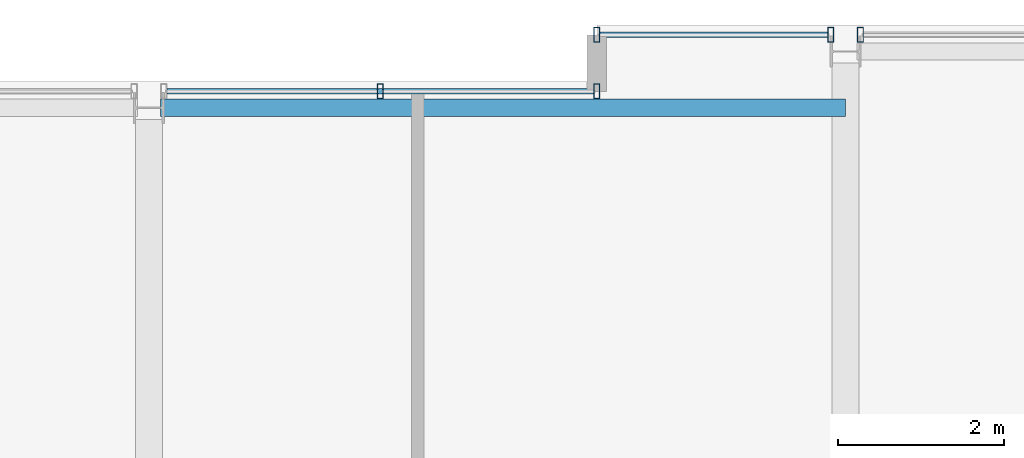
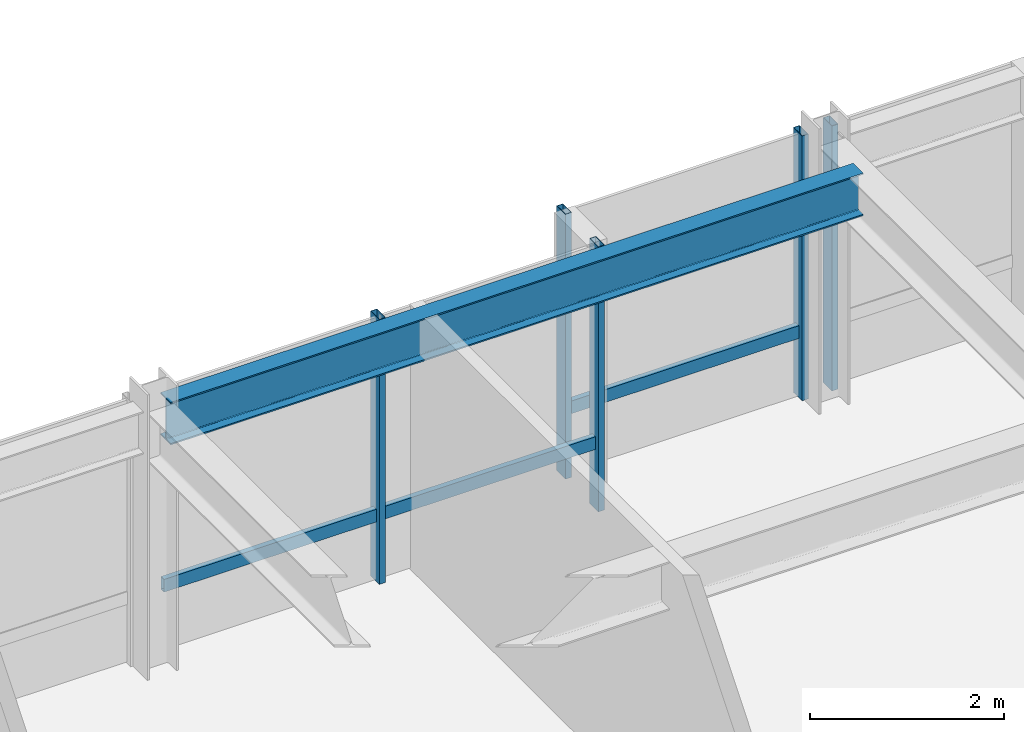
# One storey, part 21 of 31: 7 members, 1 beam, 3 elements without a shape of their own.
"""IFC4 building model written with IfcOpenShell, lengths in metres."""

from ifc_helpers import new_model, si_unit, direction, frame, origin, origin_2d, place, context, subcontext, project, spatial, hollow_rectangle, i_section, extrude, material, layer, layer_set, material_profile, profile_set, type_object, element, aggregate, save


model = new_model("IFC4")

# Units and contexts
model_context = context("Model", 3, precision=1e-05, world=origin(), true_north=direction((0.0, 1.0)))
body_context = subcontext(model_context, "Body", "Model", "MODEL_VIEW")
ifc_project = project(units=[si_unit("LENGTHUNIT", "METRE"), si_unit("AREAUNIT", "SQUARE_METRE"), si_unit("VOLUMEUNIT", "CUBIC_METRE"), si_unit("PLANEANGLEUNIT", "RADIAN"), si_unit("MASSUNIT", "GRAM", prefix="KILO")], contexts=[model_context])

# Site, building, storey
site_placement = place(None, origin())
site = spatial("IfcSite", under=ifc_project, at=site_placement, CompositionType="ELEMENT")
building_placement = place(site_placement, origin())
building = spatial("IfcBuilding", under=site, at=building_placement, Name="Drelvath Grand Hotel", CompositionType="ELEMENT")
storey_placement = place(building_placement, frame((0.0, 0.0, 244.699951171875)))
storey = spatial("IfcBuildingStorey", under=building, at=storey_placement, Name="L64", CompositionType="ELEMENT", Elevation=244.699951171875)

# Curtain wall, member
ifc_material_1 = material(Name="Platinum-Mist Anodised Aluminium Frame", Category="aluminium")
ifc_layer = layer(ifc_material_1, 0.199951171875)
ifc_layer_set = layer_set([ifc_layer], Name="Platinum-Mist Anodised Aluminium Frame")
curtain_wall_type = type_object("IfcCurtainWallType", Name="Stick Curtain Wall CW-05 Platinum Mist High-Rise", PredefinedType="NOTDEFINED", material=ifc_layer_set)
curtain_wall_1_placement = place(storey_placement, origin())
curtain_wall_1 = element("IfcCurtainWall", 1, at=curtain_wall_1_placement, inside=storey, type_object=curtain_wall_type, Name="L64 CW-05 Curtain Wall CW05-L64-NM2", PredefinedType="NOTDEFINED")
ifc_material_profile_1 = material_profile(ifc_material_1, hollow_rectangle(XDim=0.06494140625, YDim=0.159912109375, WallThickness=0.00390625, at=origin_2d()), Name="HSS160X65X4")
ifc_profile_set_1 = profile_set([ifc_material_profile_1], Name="Platinum-Mist Anodised Aluminium Frame")
member_type_1 = type_object("IfcMemberType", Name="Curtain Wall Horizontal Transom CW-05 HSS160X65X4", PredefinedType="USERDEFINED", material=ifc_profile_set_1)
member_1_placement = place(storey_placement, frame((0.21826171875, 48.39990234375, 0.8349609375), z_axis=(1.0, 0.0, 0.0), x_axis=(0.0, 1.0, 0.0)))
member_1 = element("IfcMember", 2, at=member_1_placement, type_object=member_type_1, Name="CW05-L64-NM2 Sill Transom", ObjectType="TRANSOM", PredefinedType="USERDEFINED", context=body_context, shape_type="SweptSolid", body=[
    extrude(hollow_rectangle(XDim=0.06494140625, YDim=0.159912109375, WallThickness=0.00390625, at=origin_2d()), origin(), (0.0, 0.0, 1.0), 5.141845703125),
])

curtain_wall_2_placement = place(storey_placement, origin())
curtain_wall_2 = element("IfcCurtainWall", 3, at=curtain_wall_2_placement, inside=storey, type_object=curtain_wall_type, Name="L64 CW-05 Curtain Wall CW05-L64-NE1", PredefinedType="NOTDEFINED")
member_2_placement = place(storey_placement, frame((5.43994140625, 49.080078125, 0.8349609375), z_axis=(1.0, 0.0, 0.0), x_axis=(0.0, 1.0, 0.0)))
member_2 = element("IfcMember", 4, at=member_2_placement, type_object=member_type_1, Name="CW05-L64-NE1 Sill Transom", ObjectType="TRANSOM", PredefinedType="USERDEFINED", context=body_context, shape_type="SweptSolid", body=[
    extrude(hollow_rectangle(XDim=0.06494140625, YDim=0.159912109375, WallThickness=0.00390625, at=origin_2d()), origin(), (0.0, 0.0, 1.0), 2.741943359375),
])

# Member
ifc_material_profile_2 = material_profile(ifc_material_1, hollow_rectangle(XDim=0.074951171875, YDim=0.179931640625, WallThickness=0.0048828125, at=origin_2d()), Name="HSS180X75X5")
ifc_profile_set_2 = profile_set([ifc_material_profile_2], Name="Platinum-Mist Anodised Aluminium Frame")
member_type_2 = type_object("IfcMemberType", Name="Curtain Wall Vertical Mullion CW-05 HSS180X75X5", PredefinedType="MULLION", material=ifc_profile_set_2)
member_3_placement = place(storey_placement, frame((2.7890625, 48.39990234375, 0.0), z_axis=(0.0, 0.0, 1.0), x_axis=(1.0, 0.0, 0.0)))
member_3 = element("IfcMember", 5, at=member_3_placement, type_object=member_type_2, Name="CW05-L64-NM2 Mullion 2", PredefinedType="MULLION", context=body_context, shape_type="SweptSolid", body=[
    extrude(hollow_rectangle(XDim=0.074951171875, YDim=0.179931640625, WallThickness=0.0048828125, at=origin_2d()), origin(), (0.0, 0.0, 1.0), 3.340087890625),
])

member_4_placement = place(storey_placement, frame((5.39990234375, 48.39990234375, 0.0), z_axis=(0.0, 0.0, 1.0), x_axis=(1.0, 0.0, 0.0)))
member_4 = element("IfcMember", 6, at=member_4_placement, type_object=member_type_2, Name="CW05-L64-NM2 Mullion 3", PredefinedType="MULLION", context=body_context, shape_type="SweptSolid", body=[
    extrude(hollow_rectangle(XDim=0.074951171875, YDim=0.179931640625, WallThickness=0.0048828125, at=origin_2d()), origin(), (0.0, 0.0, 1.0), 3.340087890625),
])

aggregate(curtain_wall_1, [member_3, member_4, member_1])

member_5_placement = place(storey_placement, frame((5.39990234375, 49.080078125, 0.0), z_axis=(0.0, 0.0, 1.0), x_axis=(1.0, 0.0, 0.0)))
member_5 = element("IfcMember", 7, at=member_5_placement, type_object=member_type_2, Name="CW05-L64-NE1 Mullion 1", PredefinedType="MULLION", context=body_context, shape_type="SweptSolid", body=[
    extrude(hollow_rectangle(XDim=0.074951171875, YDim=0.179931640625, WallThickness=0.0048828125, at=origin_2d()), origin(), (0.0, 0.0, 1.0), 3.340087890625),
])

member_6_placement = place(storey_placement, frame((8.2216796875, 49.080078125, 0.0), z_axis=(0.0, 0.0, 1.0), x_axis=(1.0, 0.0, 0.0)))
member_6 = element("IfcMember", 8, at=member_6_placement, type_object=member_type_2, Name="CW05-L64-NE1 Mullion 2", PredefinedType="MULLION", context=body_context, shape_type="SweptSolid", body=[
    extrude(hollow_rectangle(XDim=0.074951171875, YDim=0.179931640625, WallThickness=0.0048828125, at=origin_2d()), origin(), (0.0, 0.0, 1.0), 3.340087890625),
])

aggregate(curtain_wall_2, [member_5, member_6, member_2])

# Curtain wall, member
curtain_wall_3_placement = place(storey_placement, origin())
curtain_wall_3 = element("IfcCurtainWall", 9, at=curtain_wall_3_placement, inside=storey, type_object=curtain_wall_type, Name="L64 CW-05 Curtain Wall CW05-L64-NE2", PredefinedType="NOTDEFINED")
member_7_placement = place(storey_placement, frame((8.578125, 49.080078125, 0.0), z_axis=(0.0, 0.0, 1.0), x_axis=(1.0, 0.0, 0.0)))
member_7 = element("IfcMember", 10, at=member_7_placement, type_object=member_type_2, Name="CW05-L64-NE2 Mullion 1", PredefinedType="MULLION", context=body_context, shape_type="SweptSolid", body=[
    extrude(hollow_rectangle(XDim=0.074951171875, YDim=0.179931640625, WallThickness=0.0048828125, at=origin_2d()), origin(), (0.0, 0.0, 1.0), 3.340087890625),
])
aggregate(curtain_wall_3, [member_7])

# Beam
ifc_material_2 = material(Name="Steel ASTM A992 Gr 50", Category="steel")
ifc_material_profile_3 = material_profile(ifc_material_2, i_section(OverallWidth=0.210205078125, OverallDepth=0.53662109375, WebThickness=0.010986328125, FlangeThickness=0.017333984375, FilletRadius=0.01806640625, at=origin_2d()), Name="W21X68")
ifc_profile_set_3 = profile_set([ifc_material_profile_3], Name="Steel ASTM A992 Gr 50")
beam_type = type_object("IfcBeamType", Name="Perimeter Spandrel Beam W21X68", PredefinedType="SPANDREL", material=ifc_profile_set_3)
beam_placement = place(storey_placement, frame((0.139892578125, 48.199951171875, 3.071533203125), z_axis=(1.0, 0.0, 0.0), x_axis=(0.0, 1.0, 0.0)))
element("IfcBeam", 11, at=beam_placement, inside=storey, type_object=beam_type, Name="L64 Spandrel North Mid E", PredefinedType="SPANDREL", context=body_context, shape_type="SweptSolid", body=[
    extrude(i_section(OverallWidth=0.210205078125, OverallDepth=0.53662109375, WebThickness=0.010986328125, FlangeThickness=0.017333984375, FilletRadius=0.01806640625, at=origin_2d()), origin(), (0.0, 0.0, 1.0), 8.260009765625),
])

save(model, "model.ifc")
